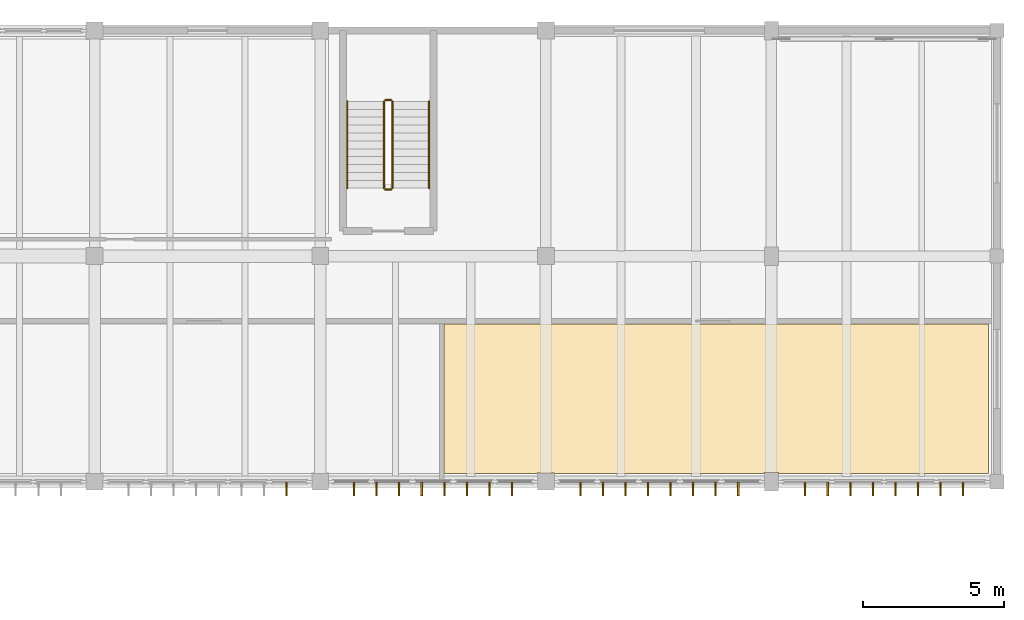
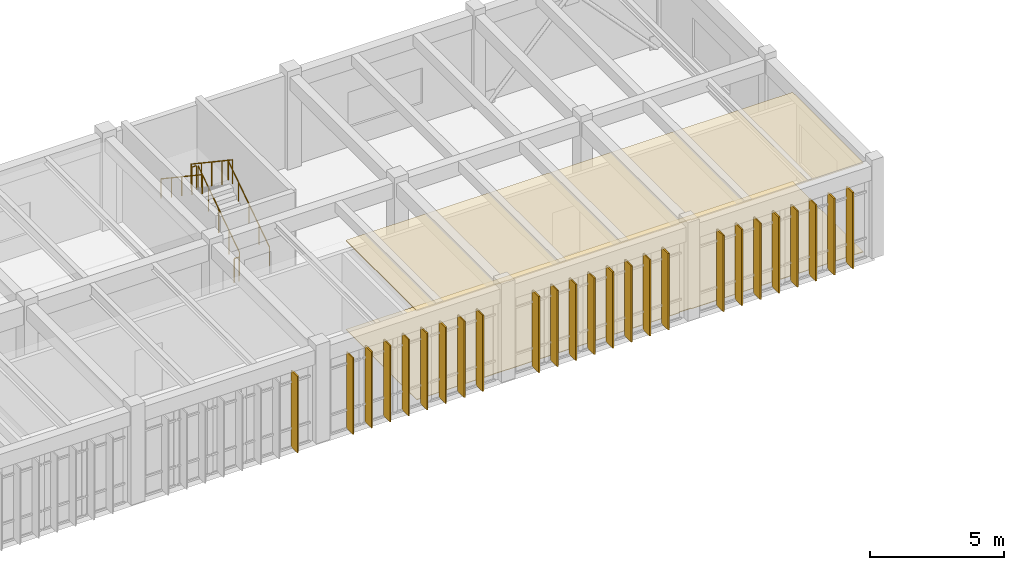
# One storey, part 79 of 79: 25 shading devices, 6 railings, 2 coverings.
"""IFC4 building model written with IfcOpenShell, lengths in metres."""

from ifc_helpers import new_model, si_unit, direction, frame, origin, origin_2d, place, context, subcontext, project, spatial, polyline, rectangle, circle, outline, extrude, material, layer, layer_set, type_object, element, save


model = new_model("IFC4")

# Units and contexts
model_context = context("Model", 3, precision=1e-05, world=origin(), true_north=direction((0.0, 1.0)))
body_context = subcontext(model_context, "Body", "Model", "MODEL_VIEW")
ifc_project = project(units=[si_unit("LENGTHUNIT", "METRE"), si_unit("AREAUNIT", "SQUARE_METRE"), si_unit("VOLUMEUNIT", "CUBIC_METRE"), si_unit("PLANEANGLEUNIT", "RADIAN"), si_unit("MASSUNIT", "GRAM", prefix="KILO")], contexts=[model_context])

# Site, building, storey
site_placement = place(None, origin())
site = spatial("IfcSite", under=ifc_project, at=site_placement, CompositionType="ELEMENT")
building_placement = place(site_placement, origin())
building = spatial("IfcBuilding", under=site, at=building_placement, Name="Tlaxcora Railside Police Headquarters", CompositionType="ELEMENT")
storey_placement = place(building_placement, frame((0.0, 0.0, 9.0)))
storey = spatial("IfcBuildingStorey", under=building, at=storey_placement, Name="L02", CompositionType="ELEMENT", Elevation=9.0)

# Coverings
ifc_material_1 = material(Name="Heavy-duty resin and raised-access technical flooring")
ifc_layer_1 = layer(ifc_material_1, 0.02490234375, Name="Heavy-duty resin and raised-access technical flooring")
ifc_layer_set_1 = layer_set([ifc_layer_1], Name="Heavy-duty resin and raised-access technical flooring")
covering_type_1 = type_object("IfcCoveringType", Name="Epoxy Chemical-Resistant Lab Flooring FLR-02", PredefinedType="FLOORING", material=ifc_layer_set_1)
covering_1_placement = place(storey_placement, origin())
element("IfcCovering", 1, at=covering_1_placement, inside=storey, type_object=covering_type_1, Name="Ballistics Laboratory and Water-Tank Test Cell technical floor finish", PredefinedType="FLOORING", context=body_context, shape_type="SweptSolid", body=[
    extrude(outline(polyline([(158.5, 77.10009765625), (158.5, 82.39990234375), (139.18994140625, 82.39990234375), (139.18994140625, 77.10009765625), (142.489990234375, 77.10009765625), (142.489990234375, 77.110107421875), (143.110107421875, 77.110107421875), (143.110107421875, 77.10009765625), (150.5400390625, 77.10009765625), (150.5400390625, 77.135009765625), (151.06005859375, 77.135009765625), (151.06005859375, 77.10009765625), (158.5, 77.10009765625)])), origin(), (0.0, 0.0, 1.0), 0.02490234375),
])
ifc_material_2 = material(Name="Mineral-fibre acoustic ceiling tile")
ifc_layer_2 = layer(ifc_material_2, 0.044921875, Name="Mineral-fibre acoustic ceiling tile")
ifc_layer_set_2 = layer_set([ifc_layer_2], Name="Mineral-fibre acoustic ceiling tile")
covering_type_2 = type_object("IfcCoveringType", Name="Laboratory Hygienic Ceiling CLG-02", PredefinedType="CEILING", material=ifc_layer_set_2)
covering_2_placement = place(storey_placement, frame((0.0, 0.0, 4.054931640625)))
element("IfcCovering", 2, at=covering_2_placement, inside=storey, type_object=covering_type_2, Name="Ballistics Laboratory and Water-Tank Test Cell suspended ceiling", PredefinedType="CEILING", context=body_context, shape_type="SweptSolid", body=[
    extrude(outline(polyline([(158.5, 77.10009765625), (158.5, 82.39990234375), (139.18994140625, 82.39990234375), (139.18994140625, 77.10009765625), (142.489990234375, 77.10009765625), (142.489990234375, 77.110107421875), (143.110107421875, 77.110107421875), (143.110107421875, 77.10009765625), (150.5400390625, 77.10009765625), (150.5400390625, 77.135009765625), (151.06005859375, 77.135009765625), (151.06005859375, 77.10009765625), (158.5, 77.10009765625)])), origin(), (0.0, 0.0, 1.0), 0.045166015625),
])

# Shading devices
ifc_material_3 = material(Name="Bronze-anodised perforated aluminium sheet", Category="aluminium")
ifc_layer_3 = layer(ifc_material_3, 0.06494140625, Name="Bronze-anodised perforated aluminium sheet")
ifc_layer_set_3 = layer_set([ifc_layer_3], Name="Bronze-anodised perforated aluminium sheet")
shading_device_type = type_object("IfcShadingDeviceType", Name="Solar Control Fin SF-02", PredefinedType="JALOUSIE", material=ifc_layer_set_3)
for number, where, z_axis, x_axis, name in (
    (3, (133.60009765625, 76.5400390625, 0.0400390625), (0.0, 0.0, 1.0), (0.0, -1.0, 0.0), "Vertical solar fin 855"),
    (4, (136.0, 76.5400390625, 0.0400390625), (0.0, 0.0, 1.0), (0.0, -1.0, 0.0), "Vertical solar fin 856"),
    (5, (136.800048828125, 76.5400390625, 0.0400390625), (0.0, 0.0, 1.0), (0.0, -1.0, 0.0), "Vertical solar fin 857"),
    (6, (137.60009765625, 76.5400390625, 0.0400390625), (0.0, 0.0, 1.0), (0.0, -1.0, 0.0), "Vertical solar fin 858"),
    (7, (138.39990234375, 76.5400390625, 0.0400390625), (0.0, 0.0, 1.0), (0.0, -1.0, 0.0), "Vertical solar fin 859"),
    (8, (139.199951171875, 76.5400390625, 0.0400390625), (0.0, 0.0, 1.0), (0.0, -1.0, 0.0), "Vertical solar fin 860"),
    (9, (140.0, 76.5400390625, 0.0400390625), (0.0, 0.0, 1.0), (0.0, -1.0, 0.0), "Vertical solar fin 861"),
    (10, (140.800048828125, 76.5400390625, 0.0400390625), (0.0, 0.0, 1.0), (0.0, -1.0, 0.0), "Vertical solar fin 862"),
    (11, (141.60009765625, 76.5400390625, 0.0400390625), (0.0, 0.0, 1.0), (0.0, -1.0, 0.0), "Vertical solar fin 863"),
    (12, (144.02490234375, 76.5400390625, 0.0400390625), (0.0, 0.0, 1.0), (0.0, -1.0, 0.0), "Vertical solar fin 864"),
    (13, (144.824951171875, 76.5400390625, 0.0400390625), (0.0, 0.0, 1.0), (0.0, -1.0, 0.0), "Vertical solar fin 865"),
    (14, (145.625, 76.5400390625, 0.0400390625), (0.0, 0.0, 1.0), (0.0, -1.0, 0.0), "Vertical solar fin 866"),
    (15, (146.425048828125, 76.5400390625, 0.0400390625), (0.0, 0.0, 1.0), (0.0, -1.0, 0.0), "Vertical solar fin 867"),
    (16, (147.22509765625, 76.5400390625, 0.0400390625), (0.0, 0.0, 1.0), (0.0, -1.0, 0.0), "Vertical solar fin 868"),
    (17, (148.02490234375, 76.5400390625, 0.0400390625), (0.0, 0.0, 1.0), (0.0, -1.0, 0.0), "Vertical solar fin 869"),
    (18, (148.824951171875, 76.5400390625, 0.0400390625), (0.0, 0.0, 1.0), (0.0, -1.0, 0.0), "Vertical solar fin 870"),
    (19, (149.625, 76.5400390625, 0.0400390625), (0.0, 0.0, 1.0), (0.0, -1.0, 0.0), "Vertical solar fin 871"),
    (20, (152.0, 76.5400390625, 0.0400390625), (0.0, 0.0, 1.0), (0.0, -1.0, 0.0), "Vertical solar fin 872"),
    (21, (152.800048828125, 76.5400390625, 0.0400390625), (0.0, 0.0, 1.0), (0.0, -1.0, 0.0), "Vertical solar fin 873"),
    (22, (153.60009765625, 76.5400390625, 0.0400390625), (0.0, 0.0, 1.0), (0.0, -1.0, 0.0), "Vertical solar fin 874"),
    (23, (154.39990234375, 76.5400390625, 0.0400390625), (0.0, 0.0, 1.0), (0.0, -1.0, 0.0), "Vertical solar fin 875"),
    (24, (155.199951171875, 76.5400390625, 0.0400390625), (0.0, 0.0, 1.0), (0.0, -1.0, 0.0), "Vertical solar fin 876"),
    (25, (156.0, 76.5400390625, 0.0400390625), (0.0, 0.0, 1.0), (0.0, -1.0, 0.0), "Vertical solar fin 877"),
    (26, (156.800048828125, 76.5400390625, 0.0400390625), (0.0, 0.0, 1.0), (0.0, -1.0, 0.0), "Vertical solar fin 878"),
    (27, (157.60009765625, 76.5400390625, 0.0400390625), (0.0, 0.0, 1.0), (0.0, -1.0, 0.0), "Vertical solar fin 879"),
):
    element("IfcShadingDevice", number, at=place(storey_placement, frame(where, z_axis=z_axis, x_axis=x_axis)), inside=storey, type_object=shading_device_type, Name=name, PredefinedType="JALOUSIE", context=body_context, shape_type="SweptSolid", body=[
        extrude(rectangle(XDim=0.47998046875, YDim=0.054931640625, at=origin_2d()), origin(), (0.0, 0.0, 1.0), 3.489990234375),
    ])

# Railings
ifc_material_4 = material(Name="Steel ASTM A992 Grade 50", Category="steel")
railing_type_1 = type_object("IfcRailingType", Name="Stair Well Guard Balustrade GR-02", PredefinedType="BALUSTRADE", material=ifc_material_4)
railing_1_placement = place(storey_placement, frame((137.360107421875, 87.2099609375, 0.1875)))
element("IfcRailing", 28, at=railing_1_placement, inside=storey, type_object=railing_type_1, Name="L02 ST8 stair guard 1", PredefinedType="BALUSTRADE", context=body_context, shape_type="SweptSolid", body=[
    extrude(circle(Radius=0.02392578125, at=origin_2d()), frame((0.0, 0.0, 1.09619140625), z_axis=(0.0, 0.830913701846, 0.55640131208), x_axis=(-1.0, 0.0, 0.0)), (0.0, 0.0, 1.0), 3.706787109375),
    extrude(circle(Radius=0.02099609375, at=origin_2d()), origin(), (0.0, 0.0, 1.0), 1.072021484375),
    extrude(circle(Radius=0.02099609375, at=origin_2d()), frame((0.0, 0.77001953125, 0.515625)), (0.0, 0.0, 1.0), 1.072021484375),
    extrude(circle(Radius=0.02099609375, at=origin_2d()), frame((0.0, 1.5400390625, 1.03125)), (0.0, 0.0, 1.0), 1.072021484375),
    extrude(circle(Radius=0.02099609375, at=origin_2d()), frame((0.0, 2.31005859375, 1.546875)), (0.0, 0.0, 1.0), 1.072021484375),
    extrude(circle(Radius=0.02099609375, at=origin_2d()), frame((0.0, 3.080078125, 2.0625)), (0.0, 0.0, 1.0), 1.072021484375),
])
railing_2_placement = place(storey_placement, frame((137.31005859375, 90.340087890625, 2.25)))
element("IfcRailing", 29, at=railing_2_placement, inside=storey, type_object=railing_type_1, Name="L02 ST8 stair guard 2", PredefinedType="BALUSTRADE", context=body_context, shape_type="SweptSolid", body=[
    extrude(circle(Radius=0.02392578125, at=origin_2d()), frame((0.0, 0.0, 1.09619140625), z_axis=(-1.0, 0.0, 0.0), x_axis=(0.0, -1.0, 0.0)), (0.0, 0.0, 1.0), 0.199951171875),
    extrude(circle(Radius=0.02099609375, at=origin_2d()), origin(), (0.0, 0.0, 1.0), 1.072021484375),
    extrude(circle(Radius=0.02099609375, at=origin_2d()), frame((-0.199951171875, 0.0, 0.0)), (0.0, 0.0, 1.0), 1.072021484375),
])
railing_3_placement = place(storey_placement, frame((137.06005859375, 90.2900390625, 2.4375)))
element("IfcRailing", 30, at=railing_3_placement, inside=storey, type_object=railing_type_1, Name="L02 ST8 stair guard 3", PredefinedType="BALUSTRADE", context=body_context, shape_type="SweptSolid", body=[
    extrude(circle(Radius=0.02392578125, at=origin_2d()), frame((0.0, 0.0, 1.09619140625), z_axis=(0.0, -0.830913701846, 0.55640131208), x_axis=(1.0, 0.0, 0.0)), (0.0, 0.0, 1.0), 3.706787109375),
    extrude(circle(Radius=0.02099609375, at=origin_2d()), origin(), (0.0, 0.0, 1.0), 1.072021484375),
    extrude(circle(Radius=0.02099609375, at=origin_2d()), frame((0.0, -0.77001953125, 0.515625)), (0.0, 0.0, 1.0), 1.072021484375),
    extrude(circle(Radius=0.02099609375, at=origin_2d()), frame((0.0, -1.5400390625, 1.03125)), (0.0, 0.0, 1.0), 1.072021484375),
    extrude(circle(Radius=0.02099609375, at=origin_2d()), frame((0.0, -2.31005859375, 1.546875)), (0.0, 0.0, 1.0), 1.072021484375),
    extrude(circle(Radius=0.02099609375, at=origin_2d()), frame((0.0, -3.080078125, 2.0625)), (0.0, 0.0, 1.0), 1.072021484375),
])
railing_4_placement = place(storey_placement, frame((137.31005859375, 87.159912109375, 0.0)))
element("IfcRailing", 31, at=railing_4_placement, inside=storey, type_object=railing_type_1, Name="L02 ST8 stair guard 4", PredefinedType="BALUSTRADE", context=body_context, shape_type="SweptSolid", body=[
    extrude(circle(Radius=0.02392578125, at=origin_2d()), frame((0.0, 0.0, 1.09619140625), z_axis=(-1.0, 0.0, 0.0), x_axis=(0.0, -1.0, 0.0)), (0.0, 0.0, 1.0), 0.199951171875),
    extrude(circle(Radius=0.02099609375, at=origin_2d()), origin(), (0.0, 0.0, 1.0), 1.072021484375),
    extrude(circle(Radius=0.02099609375, at=origin_2d()), frame((-0.199951171875, 0.0, 0.0)), (0.0, 0.0, 1.0), 1.072021484375),
])
railing_type_2 = type_object("IfcRailingType", Name="Stair and Ramp Handrail HR-01", PredefinedType="HANDRAIL", material=ifc_material_4)
railing_5_placement = place(storey_placement, frame((138.659912109375, 87.2099609375, 0.1875)))
element("IfcRailing", 32, at=railing_5_placement, inside=storey, type_object=railing_type_2, Name="L02 ST8 stair handrail 1", PredefinedType="HANDRAIL", context=body_context, shape_type="SweptSolid", body=[
    extrude(circle(Radius=0.02392578125, at=origin_2d()), frame((0.0, 0.0, 0.8759765625), z_axis=(0.0, 0.830913701846, 0.55640131208), x_axis=(-1.0, 0.0, 0.0)), (0.0, 0.0, 1.0), 3.706787109375),
    extrude(circle(Radius=0.02099609375, at=origin_2d()), origin(), (0.0, 0.0, 1.0), 0.851806640625),
    extrude(circle(Radius=0.02099609375, at=origin_2d()), frame((0.0, 0.77001953125, 0.515625)), (0.0, 0.0, 1.0), 0.851806640625),
    extrude(circle(Radius=0.02099609375, at=origin_2d()), frame((0.0, 1.5400390625, 1.03125)), (0.0, 0.0, 1.0), 0.851806640625),
    extrude(circle(Radius=0.02099609375, at=origin_2d()), frame((0.0, 2.31005859375, 1.546875)), (0.0, 0.0, 1.0), 0.851806640625),
    extrude(circle(Radius=0.02099609375, at=origin_2d()), frame((0.0, 3.080078125, 2.0625)), (0.0, 0.0, 1.0), 0.851806640625),
])
railing_6_placement = place(storey_placement, frame((135.760009765625, 90.2900390625, 2.4375)))
element("IfcRailing", 33, at=railing_6_placement, inside=storey, type_object=railing_type_2, Name="L02 ST8 stair handrail 2", PredefinedType="HANDRAIL", context=body_context, shape_type="SweptSolid", body=[
    extrude(circle(Radius=0.02392578125, at=origin_2d()), frame((0.0, 0.0, 0.8759765625), z_axis=(0.0, -0.830913701846, 0.55640131208), x_axis=(1.0, 0.0, 0.0)), (0.0, 0.0, 1.0), 3.706787109375),
    extrude(circle(Radius=0.02099609375, at=origin_2d()), origin(), (0.0, 0.0, 1.0), 0.851806640625),
    extrude(circle(Radius=0.02099609375, at=origin_2d()), frame((0.0, -0.77001953125, 0.515625)), (0.0, 0.0, 1.0), 0.851806640625),
    extrude(circle(Radius=0.02099609375, at=origin_2d()), frame((0.0, -1.5400390625, 1.03125)), (0.0, 0.0, 1.0), 0.851806640625),
    extrude(circle(Radius=0.02099609375, at=origin_2d()), frame((0.0, -2.31005859375, 1.546875)), (0.0, 0.0, 1.0), 0.851806640625),
    extrude(circle(Radius=0.02099609375, at=origin_2d()), frame((0.0, -3.080078125, 2.0625)), (0.0, 0.0, 1.0), 0.851806640625),
])

save(model, "model.ifc")
